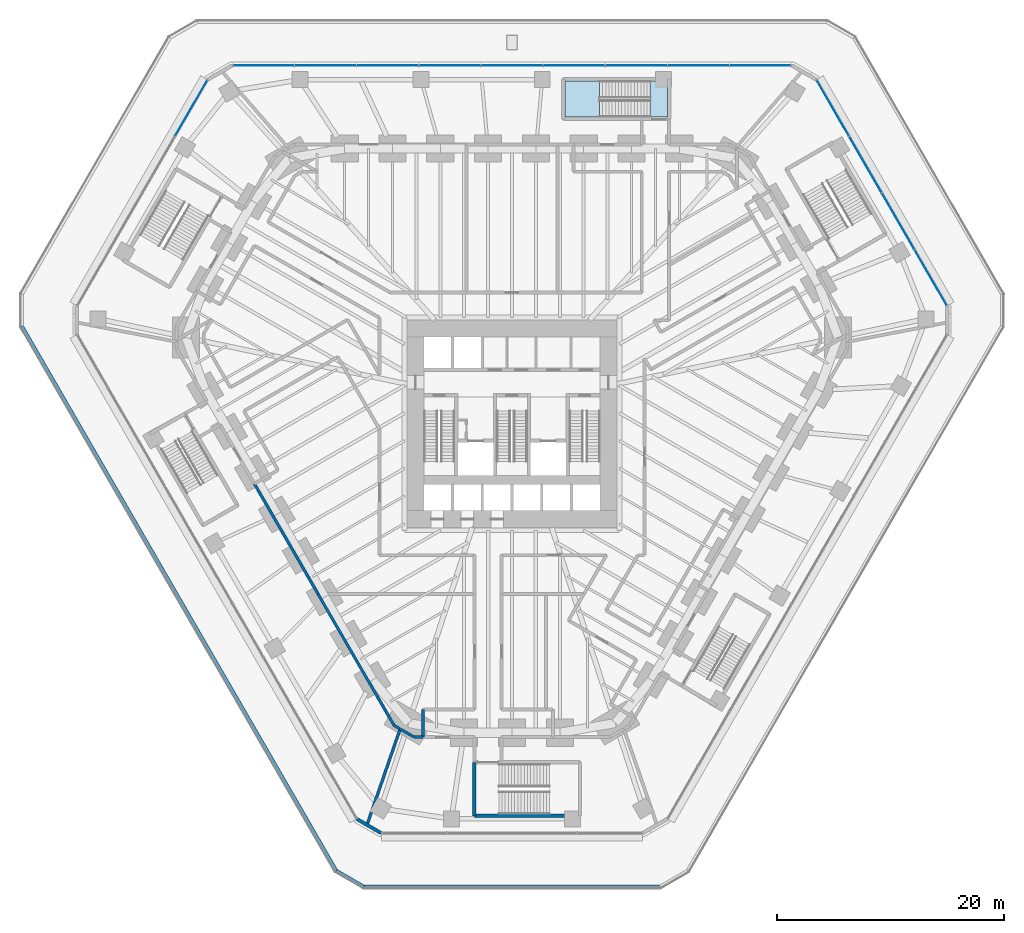
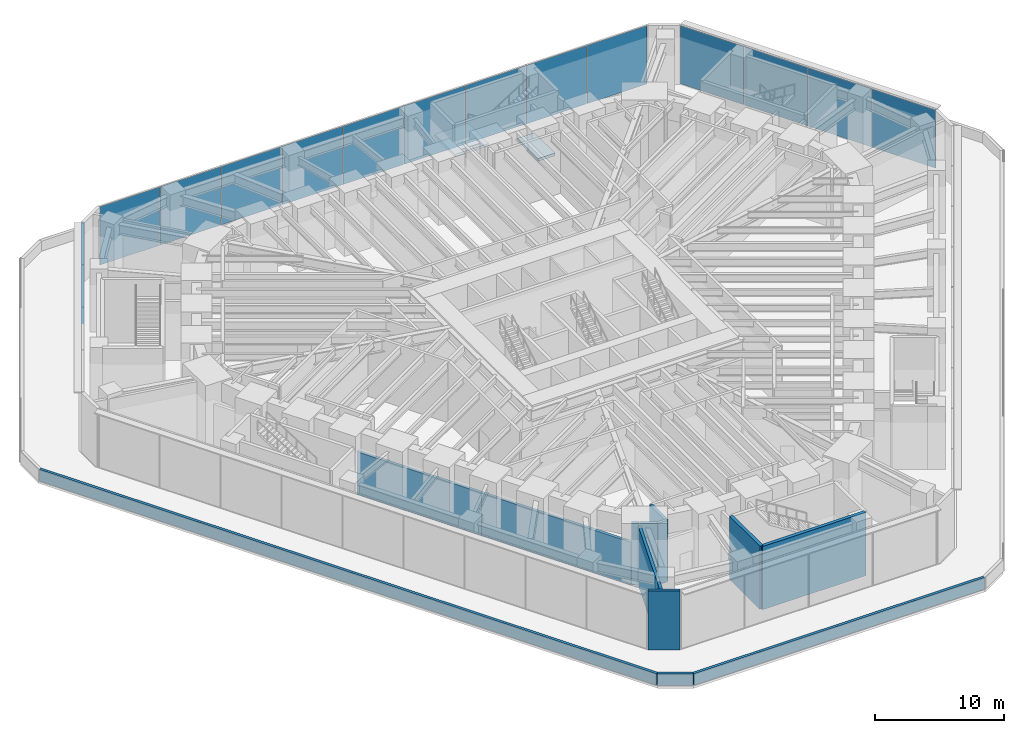
# One storey, part 13 of 24: 14 plates, 13 walls, 2 slabs, 4 elements without a shape of their own.
"""IFC4 building model written with IfcOpenShell, lengths in metres."""

from ifc_helpers import new_model, si_unit, direction, frame, frame_2d, origin, origin_2d, place, context, subcontext, project, spatial, polyline, rectangle, outline, extrude, material, layer, layer_set, type_object, element, aggregate, save


model = new_model("IFC4")

# Units and contexts
model_context = context("Model", 3, precision=1e-05, world=origin(), true_north=direction((0.0, 1.0)))
body_context = subcontext(model_context, "Body", "Model", "MODEL_VIEW")
ifc_project = project(units=[si_unit("LENGTHUNIT", "METRE"), si_unit("AREAUNIT", "SQUARE_METRE"), si_unit("VOLUMEUNIT", "CUBIC_METRE"), si_unit("PLANEANGLEUNIT", "RADIAN"), si_unit("MASSUNIT", "GRAM", prefix="KILO")], contexts=[model_context])

# Site, building, storey
site_placement = place(None, origin())
site = spatial("IfcSite", under=ifc_project, at=site_placement, CompositionType="ELEMENT")
building_placement = place(site_placement, origin())
building = spatial("IfcBuilding", under=site, at=building_placement, Name="Sandreach Pilgrim Tower", CompositionType="ELEMENT")
storey_placement = place(building_placement, frame((0.0, 0.0, 12.0)))
storey = spatial("IfcBuildingStorey", under=building, at=storey_placement, Name="L02", CompositionType="ELEMENT", Elevation=12.0)

# Curtain wall, plates
ifc_material_1 = material(Name="Aluminium framed curtain wall", Category="aluminium")
curtain_wall_type = type_object("IfcCurtainWallType", Name="Podium storefront curtain wall", PredefinedType="NOTDEFINED", material=ifc_material_1)
curtain_wall_1_placement = place(storey_placement, origin())
curtain_wall_1 = element("IfcCurtainWall", 1, at=curtain_wall_1_placement, inside=storey, type_object=curtain_wall_type, Name="CW-P L02 N", PredefinedType="NOTDEFINED")
ifc_material_2 = material(Name="Laminated safety insulating glass unit 10.76 laminated + 16 argon + 10.76 laminated", Category="glass")
ifc_layer_1 = layer(ifc_material_2, 0.0380859375)
ifc_layer_set_1 = layer_set([ifc_layer_1], Name="CW-P panel")
plate_type = type_object("IfcPlateType", Name="CW-P panel", PredefinedType="CURTAIN_PANEL", material=ifc_layer_set_1)
plate_1_placement = place(storey_placement, frame((-21.87890625, 30.010986328125, 0.0), z_axis=(0.0, 0.0, 1.0), x_axis=(1.0, 0.0, 0.0)))
plate_1 = element("IfcPlate", 2, at=plate_1_placement, type_object=plate_type, Name="CW-P panel 1", PredefinedType="CURTAIN_PANEL", context=body_context, shape_type="SweptSolid", body=[
    extrude(rectangle(XDim=5.369140625, YDim=0.0380859375, at=origin_2d()), origin(), (0.0, 0.0, 1.0), 5.530029296875),
])
plate_2_placement = place(storey_placement, frame((-16.42236328125, 30.010986328125, 0.0), z_axis=(0.0, 0.0, 1.0), x_axis=(1.0, 0.0, 0.0)))
plate_2 = element("IfcPlate", 3, at=plate_2_placement, type_object=plate_type, Name="CW-P panel 2", PredefinedType="CURTAIN_PANEL", context=body_context, shape_type="SweptSolid", body=[
    extrude(rectangle(XDim=5.404052734375, YDim=0.0380859375, at=origin_2d()), origin(), (0.0, 0.0, 1.0), 5.530029296875),
])
plate_3_placement = place(storey_placement, frame((-10.9482421875, 30.010986328125, 0.0), z_axis=(0.0, 0.0, 1.0), x_axis=(1.0, 0.0, 0.0)))
plate_3 = element("IfcPlate", 4, at=plate_3_placement, type_object=plate_type, Name="CW-P panel 3", PredefinedType="CURTAIN_PANEL", context=body_context, shape_type="SweptSolid", body=[
    extrude(rectangle(XDim=5.404052734375, YDim=0.0380859375, at=origin_2d()), origin(), (0.0, 0.0, 1.0), 5.530029296875),
])
plate_4_placement = place(storey_placement, frame((-5.47412109375, 30.010986328125, 0.0), z_axis=(0.0, 0.0, 1.0), x_axis=(1.0, 0.0, 0.0)))
plate_4 = element("IfcPlate", 5, at=plate_4_placement, type_object=plate_type, Name="CW-P panel 4", PredefinedType="CURTAIN_PANEL", context=body_context, shape_type="SweptSolid", body=[
    extrude(rectangle(XDim=5.404052734375, YDim=0.0380859375, at=origin_2d()), origin(), (0.0, 0.0, 1.0), 5.530029296875),
])
plate_5_placement = place(storey_placement, frame((0.0, 30.010986328125, 0.0), z_axis=(0.0, 0.0, 1.0), x_axis=(1.0, 0.0, 0.0)))
plate_5 = element("IfcPlate", 6, at=plate_5_placement, type_object=plate_type, Name="CW-P panel 5", PredefinedType="CURTAIN_PANEL", context=body_context, shape_type="SweptSolid", body=[
    extrude(rectangle(XDim=5.404052734375, YDim=0.0380859375, at=origin_2d()), origin(), (0.0, 0.0, 1.0), 5.530029296875),
])
plate_6_placement = place(storey_placement, frame((5.47412109375, 30.010986328125, 0.0), z_axis=(0.0, 0.0, 1.0), x_axis=(1.0, 0.0, 0.0)))
plate_6 = element("IfcPlate", 7, at=plate_6_placement, type_object=plate_type, Name="CW-P panel 6", PredefinedType="CURTAIN_PANEL", context=body_context, shape_type="SweptSolid", body=[
    extrude(rectangle(XDim=5.404052734375, YDim=0.0380859375, at=origin_2d()), origin(), (0.0, 0.0, 1.0), 5.530029296875),
])
plate_7_placement = place(storey_placement, frame((10.9482421875, 30.010986328125, 0.0), z_axis=(0.0, 0.0, 1.0), x_axis=(1.0, 0.0, 0.0)))
plate_7 = element("IfcPlate", 8, at=plate_7_placement, type_object=plate_type, Name="CW-P panel 7", PredefinedType="CURTAIN_PANEL", context=body_context, shape_type="SweptSolid", body=[
    extrude(rectangle(XDim=5.404052734375, YDim=0.0380859375, at=origin_2d()), origin(), (0.0, 0.0, 1.0), 5.530029296875),
])
plate_8_placement = place(storey_placement, frame((16.42236328125, 30.010986328125, 0.0), z_axis=(0.0, 0.0, 1.0), x_axis=(1.0, 0.0, 0.0)))
plate_8 = element("IfcPlate", 9, at=plate_8_placement, type_object=plate_type, Name="CW-P panel 8", PredefinedType="CURTAIN_PANEL", context=body_context, shape_type="SweptSolid", body=[
    extrude(rectangle(XDim=5.404052734375, YDim=0.0380859375, at=origin_2d()), origin(), (0.0, 0.0, 1.0), 5.530029296875),
])
plate_9_placement = place(storey_placement, frame((21.87890625, 30.010986328125, 0.0), z_axis=(0.0, 0.0, 1.0), x_axis=(1.0, 0.0, 0.0)))
plate_9 = element("IfcPlate", 10, at=plate_9_placement, type_object=plate_type, Name="CW-P panel 9", PredefinedType="CURTAIN_PANEL", context=body_context, shape_type="SweptSolid", body=[
    extrude(rectangle(XDim=5.369140625, YDim=0.0380859375, at=origin_2d()), origin(), (0.0, 0.0, 1.0), 5.530029296875),
])
aggregate(curtain_wall_1, [plate_1, plate_2, plate_3, plate_4, plate_5, plate_6, plate_7, plate_8, plate_9])

curtain_wall_2_placement = place(storey_placement, origin())
curtain_wall_2 = element("IfcCurtainWall", 11, at=curtain_wall_2_placement, inside=storey, type_object=curtain_wall_type, Name="CW-P L02 NE", PredefinedType="NOTDEFINED")
plate_10_placement = place(storey_placement, frame((28.245849609375, 26.254150390625, 0.0), z_axis=(0.0, 0.0, 1.0), x_axis=(0.5, -0.866025403784, 0.0)))
plate_10 = element("IfcPlate", 12, at=plate_10_placement, type_object=plate_type, Name="CW-P panel 1", PredefinedType="CURTAIN_PANEL", context=body_context, shape_type="SweptSolid", body=[
    extrude(rectangle(XDim=5.649169921875, YDim=0.0380859375, at=origin_2d()), origin(), (0.0, 0.0, 1.0), 5.530029296875),
])
plate_11_placement = place(storey_placement, frame((31.1142578125, 21.285888671875, 0.0), z_axis=(0.0, 0.0, 1.0), x_axis=(0.5, -0.866025403784, 0.0)))
plate_11 = element("IfcPlate", 13, at=plate_11_placement, type_object=plate_type, Name="CW-P panel 2", PredefinedType="CURTAIN_PANEL", context=body_context, shape_type="SweptSolid", body=[
    extrude(rectangle(XDim=5.684326171875, YDim=0.0380859375, at=origin_2d()), origin(), (0.0, 0.0, 1.0), 5.530029296875),
])
plate_12_placement = place(storey_placement, frame((33.9912109375, 16.302734375, 0.0), z_axis=(0.0, 0.0, 1.0), x_axis=(0.5, -0.866025403784, 0.0)))
plate_12 = element("IfcPlate", 14, at=plate_12_placement, type_object=plate_type, Name="CW-P panel 3", PredefinedType="CURTAIN_PANEL", context=body_context, shape_type="SweptSolid", body=[
    extrude(rectangle(XDim=5.684326171875, YDim=0.0380859375, at=origin_2d()), origin(), (0.0, 0.0, 1.0), 5.530029296875),
])
plate_13_placement = place(storey_placement, frame((36.859619140625, 11.33447265625, 0.0), z_axis=(0.0, 0.0, 1.0), x_axis=(0.5, -0.866025403784, 0.0)))
plate_13 = element("IfcPlate", 15, at=plate_13_placement, type_object=plate_type, Name="CW-P panel 4", PredefinedType="CURTAIN_PANEL", context=body_context, shape_type="SweptSolid", body=[
    extrude(rectangle(XDim=5.649169921875, YDim=0.0380859375, at=origin_2d()), origin(), (0.0, 0.0, 1.0), 5.530029296875),
])
aggregate(curtain_wall_2, [plate_10, plate_11, plate_12, plate_13])

# Curtain wall, plate
curtain_wall_3_placement = place(storey_placement, origin())
curtain_wall_3 = element("IfcCurtainWall", 16, at=curtain_wall_3_placement, inside=storey, type_object=curtain_wall_type, Name="CW-P L02 NW", PredefinedType="NOTDEFINED")
plate_14_placement = place(storey_placement, frame((-28.245849609375, 26.254150390625, 0.0), z_axis=(0.0, 0.0, 1.0), x_axis=(0.5, 0.866025403784, 0.0)))
plate_14 = element("IfcPlate", 17, at=plate_14_placement, type_object=plate_type, Name="CW-P panel 4", PredefinedType="CURTAIN_PANEL", context=body_context, shape_type="SweptSolid", body=[
    extrude(rectangle(XDim=5.649169921875, YDim=0.0380859375, at=origin_2d()), origin(), (0.0, 0.0, 1.0), 5.530029296875),
])
aggregate(curtain_wall_3, [plate_14])

# Stair, slabs
ifc_material_3 = material(Name="Concrete 8000 psi", Category="concrete")
stair_type = type_object("IfcStairType", Name="Narrow podium exit stair", PredefinedType="HALF_TURN_STAIR", material=ifc_material_3)
stair_placement = place(storey_placement, origin())
stair = element("IfcStair", 18, at=stair_placement, inside=storey, type_object=stair_type, Name="Exit stair ST7 L02", PredefinedType="HALF_TURN_STAIR")
ifc_material_4 = material(Name="Concrete 8000 psi", Category="concrete")
ifc_layer_2 = layer(ifc_material_4, 0.25)
ifc_layer_set_2 = layer_set([ifc_layer_2], Name="Podium stair landing 250")
slab_type = type_object("IfcSlabType", Name="Podium stair landing 250", PredefinedType="LANDING", material=ifc_layer_set_2)
slab_1_placement = place(storey_placement, frame((0.0, 0.0, -0.25)))
slab_1 = element("IfcSlab", 19, at=slab_1_placement, type_object=slab_type, Name="ST7 landing 1", PredefinedType="LANDING", context=body_context, shape_type="SweptSolid", body=[
    extrude(outline(polyline([(13.6796875, 25.44873046875), (12.15478515625, 25.44873046875), (12.15478515625, 28.648681640625), (13.6796875, 28.648681640625), (13.6796875, 25.44873046875)])), origin(), (0.0, 0.0, 1.0), 0.25),
])
slab_2_placement = place(storey_placement, frame((0.0, 0.0, 2.75)))
slab_2 = element("IfcSlab", 20, at=slab_2_placement, type_object=slab_type, Name="ST7 landing 2", PredefinedType="LANDING", context=body_context, shape_type="SweptSolid", body=[
    extrude(outline(polyline([(7.724853515625, 25.44873046875), (4.6796875, 25.44873046875), (4.6796875, 28.648681640625), (7.724853515625, 28.648681640625), (7.724853515625, 25.44873046875)])), origin(), (0.0, 0.0, 1.0), 0.25),
])
aggregate(stair, [slab_1, slab_2])

# Walls
ifc_material_5 = material(Name="Acoustic gypsum board wall, double frame", Category="gypsum")
ifc_layer_3 = layer(ifc_material_5, 0.25)
ifc_layer_set_3 = layer_set([ifc_layer_3], Name="Hall partition 250")
wall_type_1 = type_object("IfcWallType", Name="Hall partition 250", PredefinedType="PARTITIONING", material=ifc_layer_set_3)
wall_1_placement = place(storey_placement, frame((-22.681884765625, -6.821044921875, 0.0), z_axis=(0.0, 0.0, 1.0), x_axis=(0.500140682179, -0.865944165654, 0.0)))
element("IfcWall", 21, at=wall_1_placement, inside=storey, type_object=wall_type_1, Name="Hall partition L02-019", PredefinedType="PARTITIONING", context=body_context, shape_type="SweptSolid", body=[
    extrude(rectangle(XDim=11.200439453125, YDim=0.25, at=frame_2d((5.60009765625, 0.0))), origin(), (0.0, 0.0, 1.0), 4.0400390625),
])
wall_2_placement = place(storey_placement, frame((-17.080078125, -16.52001953125, 0.0), z_axis=(0.0, 0.0, 1.0), x_axis=(0.500484795969, -0.865745325719, 0.0)))
element("IfcWall", 22, at=wall_2_placement, inside=storey, type_object=wall_type_1, Name="Hall partition L02-032", PredefinedType="PARTITIONING", context=body_context, shape_type="SweptSolid", body=[
    extrude(rectangle(XDim=13.387451171875, YDim=0.25, at=frame_2d((6.69384765625, 0.0))), origin(), (0.0, 0.0, 1.0), 4.0400390625),
])
wall_3_placement = place(storey_placement, frame((-12.770263671875, -36.881591796875, 0.0), z_axis=(0.0, 0.0, 1.0), x_axis=(0.32622518394, 0.945292086798, 0.0)))
element("IfcWall", 23, at=wall_3_placement, inside=storey, type_object=wall_type_1, Name="Hall partition L02-035", PredefinedType="PARTITIONING", context=body_context, shape_type="SweptSolid", body=[
    extrude(rectangle(XDim=8.951416015625, YDim=0.25, at=frame_2d((4.4755859375, 0.0))), origin(), (0.0, 0.0, 1.0), 5.60009765625),
])
wall_4_placement = place(storey_placement, frame((-10.3798828125, -28.110107421875, 0.0), z_axis=(0.0, 0.0, 1.0), x_axis=(0.865714845822, -0.5005375168, 0.0)))
element("IfcWall", 24, at=wall_4_placement, inside=storey, type_object=wall_type_1, Name="Hall partition L02-041", PredefinedType="PARTITIONING", context=body_context, shape_type="SweptSolid", body=[
    extrude(rectangle(XDim=0.578857421875, YDim=0.25, at=frame_2d((0.28955078125, 0.0))), origin(), (0.0, 0.0, 1.0), 5.840087890625),
])
wall_5_placement = place(storey_placement, frame((-8.64990234375, -29.110107421875, 0.0), z_axis=(0.0, 0.0, 1.0), x_axis=(-0.866883441829, 0.498510880807, 0.0)))
element("IfcWall", 25, at=wall_5_placement, inside=storey, type_object=wall_type_1, Name="Hall partition L02-042", PredefinedType="PARTITIONING", context=body_context, shape_type="SweptSolid", body=[
    extrude(rectangle(XDim=1.384521484375, YDim=0.25, at=frame_2d((0.6923828125, 0.0))), origin(), (0.0, 0.0, 1.0), 5.840087890625),
])
wall_6_placement = place(storey_placement, frame((-8.64990234375, -29.110107421875, 0.0), z_axis=(0.0, 0.0, 1.0), x_axis=(1.0, 0.0, 0.0)))
element("IfcWall", 26, at=wall_6_placement, inside=storey, type_object=wall_type_1, Name="Hall partition L02-043", PredefinedType="PARTITIONING", context=body_context, shape_type="SweptSolid", body=[
    extrude(rectangle(XDim=0.81982421875, YDim=0.25, at=frame_2d((0.409912109375, 0.0))), origin(), (0.0, 0.0, 1.0), 5.840087890625),
])
wall_7_placement = place(storey_placement, frame((-7.830078125, -29.110107421875, 0.0), z_axis=(0.0, 0.0, 1.0), x_axis=(0.0, 1.0, 0.0)))
element("IfcWall", 27, at=wall_7_placement, inside=storey, type_object=wall_type_1, Name="Hall partition L02-044", PredefinedType="PARTITIONING", context=body_context, shape_type="SweptSolid", body=[
    extrude(rectangle(XDim=2.400146484375, YDim=0.25, at=frame_2d((1.2001953125, 0.0))), origin(), (0.0, 0.0, 1.0), 5.840087890625),
])
ifc_material_6 = material(Name="Concrete 8000 psi", Category="concrete")
ifc_layer_4 = layer(ifc_material_6, 0.300048828125)
ifc_layer_set_4 = layer_set([ifc_layer_4], Name="Podium stair enclosure 300")
wall_type_2 = type_object("IfcWallType", Name="Podium stair enclosure 300", PredefinedType="SHEAR", material=ifc_layer_set_4)
wall_8_placement = place(storey_placement, frame((5.98876953125, -36.060791015625, 0.0), z_axis=(0.0, 0.0, 1.0), x_axis=(-1.0, 0.0, 0.0)))
element("IfcWall", 28, at=wall_8_placement, inside=storey, type_object=wall_type_2, Name="Stair ST5 enclosure L02 3", PredefinedType="SHEAR", context=body_context, shape_type="SweptSolid", body=[
    extrude(rectangle(XDim=9.300048828125, YDim=0.300048828125, at=frame_2d((4.64990234375, 0.0))), origin(), (0.0, 0.0, 1.0), 6.0),
])
wall_9_placement = place(storey_placement, frame((-3.311279296875, -36.060791015625, 0.0), z_axis=(0.0, 0.0, 1.0), x_axis=(0.0, 1.0, 0.0)))
element("IfcWall", 29, at=wall_9_placement, inside=storey, type_object=wall_type_2, Name="Stair ST5 enclosure L02 4", PredefinedType="SHEAR", context=body_context, shape_type="SweptSolid", body=[
    extrude(rectangle(XDim=4.699951171875, YDim=0.300048828125, at=frame_2d((2.35009765625, 0.0))), origin(), (0.0, 0.0, 1.0), 6.0),
])
ifc_material_7 = material(Name="Concrete parapet with terracotta coping", Category="masonry")
ifc_layer_5 = layer(ifc_material_7, 0.25)
ifc_layer_set_5 = layer_set([ifc_layer_5], Name="Setback parapet")
wall_type_3 = type_object("IfcWallType", Name="Setback parapet", PredefinedType="PARAPET", material=ifc_layer_set_5)
wall_10_placement = place(storey_placement, frame((-43.143798828125, 7.062744140625, 0.0), z_axis=(0.0, 0.0, 1.0), x_axis=(0.500000660882, -0.866025022224, 0.0)))
element("IfcWall", 30, at=wall_10_placement, inside=storey, type_object=wall_type_3, Name="Setback parapet L02 4", PredefinedType="PARAPET", context=body_context, shape_type="SweptSolid", body=[
    extrude(rectangle(XDim=55.376953125, YDim=0.25, at=frame_2d((27.6884765625, 0.0))), origin(), (0.0, 0.0, 1.0), 1.10009765625),
])
wall_11_placement = place(storey_placement, frame((-15.455322265625, -40.89501953125, 0.0), z_axis=(0.0, 0.0, 1.0), x_axis=(0.865701662064, -0.500560318344, 0.0)))
element("IfcWall", 31, at=wall_11_placement, inside=storey, type_object=wall_type_3, Name="Setback parapet L02 5", PredefinedType="PARAPET", context=body_context, shape_type="SweptSolid", body=[
    extrude(rectangle(XDim=2.790771484375, YDim=0.25, at=frame_2d((1.3955078125, 0.0))), origin(), (0.0, 0.0, 1.0), 1.10009765625),
])
wall_12_placement = place(storey_placement, frame((-13.039306640625, -42.2919921875, 0.0), z_axis=(0.0, 0.0, 1.0), x_axis=(1.0, 0.0, 0.0)))
element("IfcWall", 32, at=wall_12_placement, inside=storey, type_object=wall_type_3, Name="Setback parapet L02 6", PredefinedType="PARAPET", context=body_context, shape_type="SweptSolid", body=[
    extrude(rectangle(XDim=26.07861328125, YDim=0.25, at=frame_2d((13.039306640625, 0.0))), origin(), (0.0, 0.0, 1.0), 1.10009765625),
])
ifc_material_8 = material(Name="Terracotta rainscreen on concrete", Category="masonry")
ifc_layer_6 = layer(ifc_material_8, 0.300048828125)
ifc_layer_set_6 = layer_set([ifc_layer_6], Name="Terracotta chamfer pier")
wall_type_4 = type_object("IfcWallType", Name="Terracotta chamfer pier", PredefinedType="SOLIDWALL", material=ifc_layer_set_6)
wall_13_placement = place(storey_placement, frame((-11.50830078125, -37.588623046875, 0.0), z_axis=(0.0, 0.0, 1.0), x_axis=(-0.866047370643, 0.499961950354, 0.0)))
element("IfcWall", 33, at=wall_13_placement, inside=storey, type_object=wall_type_4, Name="Chamfer pier L02 S", PredefinedType="SOLIDWALL", context=body_context, shape_type="SweptSolid", body=[
    extrude(rectangle(XDim=2.500244140625, YDim=0.300048828125, at=frame_2d((1.25, 0.0))), origin(), (0.0, 0.0, 1.0), 5.60009765625),
])

save(model, "model.ifc")
